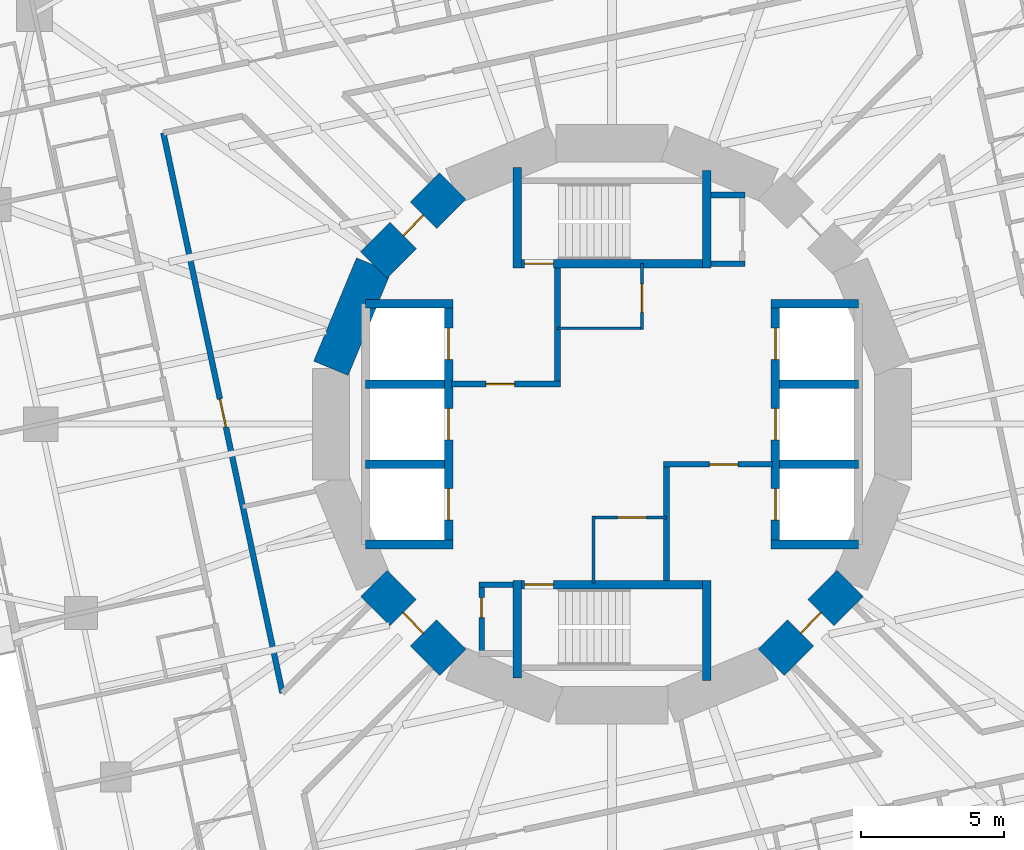
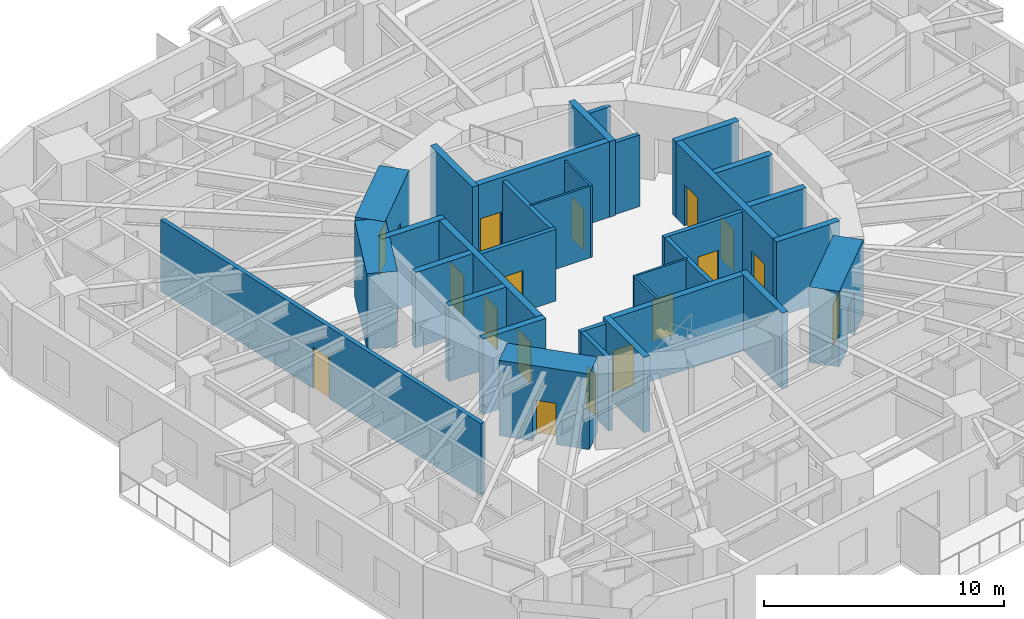
# One storey, part 7 of 14: 33 walls, 17 doors, 17 openings.
"""IFC4 building model written with IfcOpenShell, lengths in metres."""

from ifc_helpers import new_model, si_unit, direction, frame, frame_2d, origin, place, context, subcontext, project, spatial, rectangle, extrude, material, layer, layer_set, type_object, element, fill, save


model = new_model("IFC4")

# Units and contexts
model_context = context("Model", 3, precision=1e-05, world=origin(), true_north=direction((0.0, 1.0)))
body_context = subcontext(model_context, "Body", "Model", "MODEL_VIEW")
ifc_project = project(units=[si_unit("LENGTHUNIT", "METRE"), si_unit("AREAUNIT", "SQUARE_METRE"), si_unit("VOLUMEUNIT", "CUBIC_METRE"), si_unit("PLANEANGLEUNIT", "RADIAN"), si_unit("MASSUNIT", "GRAM", prefix="KILO")], contexts=[model_context])

# Site, building, storey
site_placement = place(None, origin())
site = spatial("IfcSite", under=ifc_project, at=site_placement, CompositionType="ELEMENT")
building_placement = place(site_placement, origin())
building = spatial("IfcBuilding", under=site, at=building_placement, Name="Nakasero Lantern House", CompositionType="ELEMENT")
storey_placement = place(building_placement, frame((0.0, 0.0, 124.25)))
storey = spatial("IfcBuildingStorey", under=building, at=storey_placement, Name="L30", CompositionType="ELEMENT", Elevation=124.25)

# Wall, openings, doors
ifc_material_1 = material(Name="Concrete C50/60", Category="concrete")
ifc_layer_1 = layer(ifc_material_1, 0.300048828125)
ifc_layer_set_1 = layer_set([ifc_layer_1], Name="Core inner wall 300")
wall_type_1 = type_object("IfcWallType", Name="Core inner wall 300", PredefinedType="SHEAR", material=ifc_layer_set_1)
wall_1_placement = place(storey_placement, frame((-5.699951171875, -4.199951171875, 0.0), z_axis=(0.0, 0.0, 1.0), x_axis=(0.0, 1.0, 0.0)))
wall_1 = element("IfcWall", 1, at=wall_1_placement, inside=storey, type_object=wall_type_1, Name="Core inner wall L30 LW", PredefinedType="SHEAR", context=body_context, shape_type="SweptSolid", body=[
    extrude(rectangle(XDim=8.39990234375, YDim=0.300048828125, at=frame_2d((4.199951171875, 0.0))), origin(), (0.0, 0.0, 1.0), 3.85009765625),
])
opening_1_placement = place(wall_1_placement, frame((0.85009765625, 0.0, 0.0)))
opening_1 = element("IfcOpeningElement", 2, at=opening_1_placement, cuts=wall_1, Name="Opening LD", PredefinedType="OPENING", context=body_context, shape_type="SweptSolid", body=[
    extrude(rectangle(XDim=1.10009765625, YDim=2.10009765625, at=frame_2d((0.550048828125, 1.050048828125))), frame((0.0, 0.169921875, 0.0), z_axis=(0.0, -1.0, 0.0), x_axis=(1.0, 0.0, 0.0)), (0.0, 0.0, 1.0), 0.340087890625),
])
opening_2_placement = place(wall_1_placement, frame((3.64990234375, 0.0, 0.0)))
opening_2 = element("IfcOpeningElement", 3, at=opening_2_placement, cuts=wall_1, Name="Opening LD", PredefinedType="OPENING", context=body_context, shape_type="SweptSolid", body=[
    extrude(rectangle(XDim=1.10009765625, YDim=2.10009765625, at=frame_2d((0.550048828125, 1.050048828125))), frame((0.0, 0.169921875, 0.0), z_axis=(0.0, -1.0, 0.0), x_axis=(1.0, 0.0, 0.0)), (0.0, 0.0, 1.0), 0.340087890625),
])
opening_3_placement = place(wall_1_placement, frame((6.449951171875, 0.0, 0.0)))
opening_3 = element("IfcOpeningElement", 4, at=opening_3_placement, cuts=wall_1, Name="Opening LD", PredefinedType="OPENING", context=body_context, shape_type="SweptSolid", body=[
    extrude(rectangle(XDim=1.10009765625, YDim=2.10009765625, at=frame_2d((0.550048828125, 1.050048828125))), frame((0.0, 0.169921875, 0.0), z_axis=(0.0, -1.0, 0.0), x_axis=(1.0, 0.0, 0.0)), (0.0, 0.0, 1.0), 0.340087890625),
])
ifc_material_2 = material(Name="Steel S355", Category="steel")
door_type_1 = type_object("IfcDoorType", Name="Lift landing door E120 1100", OperationType="SLIDING_TO_LEFT", PredefinedType="DOOR", material=ifc_material_2)
door_1_placement = place(opening_1_placement, origin())
door_1 = element("IfcDoor", 5, at=door_1_placement, inside=storey, type_object=door_type_1, Name="Lift landing door LW1", OperationType="SLIDING_TO_LEFT", OverallHeight=2.10009765625, OverallWidth=1.10009765625, PredefinedType="DOOR", context=body_context, shape_type="SweptSolid", body=[
    extrude(rectangle(XDim=1.10009765625, YDim=2.10009765625, at=frame_2d((0.550048828125, 1.050048828125))), frame((0.0, 0.02490234375, 0.0), z_axis=(0.0, -1.0, 0.0), x_axis=(1.0, 0.0, 0.0)), (0.0, 0.0, 1.0), 0.050048828125),
])
fill(opening_1, door_1)
door_2_placement = place(opening_2_placement, origin())
door_2 = element("IfcDoor", 6, at=door_2_placement, inside=storey, type_object=door_type_1, Name="Lift landing door LW2", OperationType="SLIDING_TO_LEFT", OverallHeight=2.10009765625, OverallWidth=1.10009765625, PredefinedType="DOOR", context=body_context, shape_type="SweptSolid", body=[
    extrude(rectangle(XDim=1.10009765625, YDim=2.10009765625, at=frame_2d((0.550048828125, 1.050048828125))), frame((0.0, 0.02490234375, 0.0), z_axis=(0.0, -1.0, 0.0), x_axis=(1.0, 0.0, 0.0)), (0.0, 0.0, 1.0), 0.050048828125),
])
fill(opening_2, door_2)
door_3_placement = place(opening_3_placement, origin())
door_3 = element("IfcDoor", 7, at=door_3_placement, inside=storey, type_object=door_type_1, Name="Lift landing door LW3", OperationType="SLIDING_TO_LEFT", OverallHeight=2.10009765625, OverallWidth=1.10009765625, PredefinedType="DOOR", context=body_context, shape_type="SweptSolid", body=[
    extrude(rectangle(XDim=1.10009765625, YDim=2.10009765625, at=frame_2d((0.550048828125, 1.050048828125))), frame((0.0, 0.02490234375, 0.0), z_axis=(0.0, -1.0, 0.0), x_axis=(1.0, 0.0, 0.0)), (0.0, 0.0, 1.0), 0.050048828125),
])
fill(opening_3, door_3)

wall_2_placement = place(storey_placement, frame((5.699951171875, -4.199951171875, 0.0), z_axis=(0.0, 0.0, 1.0), x_axis=(0.0, 1.0, 0.0)))
wall_2 = element("IfcWall", 8, at=wall_2_placement, inside=storey, type_object=wall_type_1, Name="Core inner wall L30 LE", PredefinedType="SHEAR", context=body_context, shape_type="SweptSolid", body=[
    extrude(rectangle(XDim=8.39990234375, YDim=0.300048828125, at=frame_2d((4.199951171875, 0.0))), origin(), (0.0, 0.0, 1.0), 3.85009765625),
])
opening_4_placement = place(wall_2_placement, frame((0.85009765625, 0.0, 0.0)))
opening_4 = element("IfcOpeningElement", 9, at=opening_4_placement, cuts=wall_2, Name="Opening LD", PredefinedType="OPENING", context=body_context, shape_type="SweptSolid", body=[
    extrude(rectangle(XDim=1.10009765625, YDim=2.10009765625, at=frame_2d((0.550048828125, 1.050048828125))), frame((0.0, 0.169921875, 0.0), z_axis=(0.0, -1.0, 0.0), x_axis=(1.0, 0.0, 0.0)), (0.0, 0.0, 1.0), 0.340087890625),
])
opening_5_placement = place(wall_2_placement, frame((3.64990234375, 0.0, 0.0)))
opening_5 = element("IfcOpeningElement", 10, at=opening_5_placement, cuts=wall_2, Name="Opening LD", PredefinedType="OPENING", context=body_context, shape_type="SweptSolid", body=[
    extrude(rectangle(XDim=1.10009765625, YDim=2.10009765625, at=frame_2d((0.550048828125, 1.050048828125))), frame((0.0, 0.169921875, 0.0), z_axis=(0.0, -1.0, 0.0), x_axis=(1.0, 0.0, 0.0)), (0.0, 0.0, 1.0), 0.340087890625),
])
opening_6_placement = place(wall_2_placement, frame((6.449951171875, 0.0, 0.0)))
opening_6 = element("IfcOpeningElement", 11, at=opening_6_placement, cuts=wall_2, Name="Opening LD", PredefinedType="OPENING", context=body_context, shape_type="SweptSolid", body=[
    extrude(rectangle(XDim=1.10009765625, YDim=2.10009765625, at=frame_2d((0.550048828125, 1.050048828125))), frame((0.0, 0.169921875, 0.0), z_axis=(0.0, -1.0, 0.0), x_axis=(1.0, 0.0, 0.0)), (0.0, 0.0, 1.0), 0.340087890625),
])
door_4_placement = place(opening_4_placement, origin())
door_4 = element("IfcDoor", 12, at=door_4_placement, inside=storey, type_object=door_type_1, Name="Lift landing door LE1", OperationType="SLIDING_TO_LEFT", OverallHeight=2.10009765625, OverallWidth=1.10009765625, PredefinedType="DOOR", context=body_context, shape_type="SweptSolid", body=[
    extrude(rectangle(XDim=1.10009765625, YDim=2.10009765625, at=frame_2d((0.550048828125, 1.050048828125))), frame((0.0, 0.02490234375, 0.0), z_axis=(0.0, -1.0, 0.0), x_axis=(1.0, 0.0, 0.0)), (0.0, 0.0, 1.0), 0.050048828125),
])
fill(opening_4, door_4)
door_5_placement = place(opening_5_placement, origin())
door_5 = element("IfcDoor", 13, at=door_5_placement, inside=storey, type_object=door_type_1, Name="Lift landing door LE2", OperationType="SLIDING_TO_LEFT", OverallHeight=2.10009765625, OverallWidth=1.10009765625, PredefinedType="DOOR", context=body_context, shape_type="SweptSolid", body=[
    extrude(rectangle(XDim=1.10009765625, YDim=2.10009765625, at=frame_2d((0.550048828125, 1.050048828125))), frame((0.0, 0.02490234375, 0.0), z_axis=(0.0, -1.0, 0.0), x_axis=(1.0, 0.0, 0.0)), (0.0, 0.0, 1.0), 0.050048828125),
])
fill(opening_5, door_5)
door_6_placement = place(opening_6_placement, origin())
door_6 = element("IfcDoor", 14, at=door_6_placement, inside=storey, type_object=door_type_1, Name="Lift landing door LE3", OperationType="SLIDING_TO_LEFT", OverallHeight=2.10009765625, OverallWidth=1.10009765625, PredefinedType="DOOR", context=body_context, shape_type="SweptSolid", body=[
    extrude(rectangle(XDim=1.10009765625, YDim=2.10009765625, at=frame_2d((0.550048828125, 1.050048828125))), frame((0.0, 0.02490234375, 0.0), z_axis=(0.0, -1.0, 0.0), x_axis=(1.0, 0.0, 0.0)), (0.0, 0.0, 1.0), 0.050048828125),
])
fill(opening_6, door_6)

# Walls
for number, where, z_axis, x_axis, name in (
    (15, (-8.60009765625, 4.199951171875, 0.0), (0.0, 0.0, 1.0), (1.0, 0.0, 0.0), "Core inner wall L30 LWN"),
    (16, (-8.60009765625, -4.199951171875, 0.0), (0.0, 0.0, 1.0), (1.0, 0.0, 0.0), "Core inner wall L30 LWS"),
    (17, (5.550048828125, 4.199951171875, 0.0), (0.0, 0.0, 1.0), (1.0, 0.0, 0.0), "Core inner wall L30 LEN"),
    (18, (5.550048828125, -4.199951171875, 0.0), (0.0, 0.0, 1.0), (1.0, 0.0, 0.0), "Core inner wall L30 LES"),
):
    element("IfcWall", number, at=place(storey_placement, frame(where, z_axis=z_axis, x_axis=x_axis)), inside=storey, type_object=wall_type_1, Name=name, PredefinedType="SHEAR", context=body_context, shape_type="SweptSolid", body=[
        extrude(rectangle(XDim=3.050048828125, YDim=0.300048828125, at=frame_2d((1.52490234375, 0.0))), origin(), (0.0, 0.0, 1.0), 3.85009765625),
    ])
for number, where, z_axis, x_axis, name in (
    (19, (-8.60009765625, -1.39990234375, 0.0), (0.0, 0.0, 1.0), (1.0, 0.0, 0.0), "Core inner wall L30 LW1"),
    (20, (-8.60009765625, 1.39990234375, 0.0), (0.0, 0.0, 1.0), (1.0, 0.0, 0.0), "Core inner wall L30 LW2"),
    (21, (5.85009765625, -1.39990234375, 0.0), (0.0, 0.0, 1.0), (1.0, 0.0, 0.0), "Core inner wall L30 LE1"),
    (22, (5.85009765625, 1.39990234375, 0.0), (0.0, 0.0, 1.0), (1.0, 0.0, 0.0), "Core inner wall L30 LE2"),
):
    element("IfcWall", number, at=place(storey_placement, frame(where, z_axis=z_axis, x_axis=x_axis)), inside=storey, type_object=wall_type_1, Name=name, PredefinedType="SHEAR", context=body_context, shape_type="SweptSolid", body=[
        extrude(rectangle(XDim=2.75, YDim=0.300048828125, at=frame_2d((1.375, 0.0))), origin(), (0.0, 0.0, 1.0), 3.85009765625),
    ])

# Wall, opening, door
wall_3_placement = place(storey_placement, frame((-3.449951171875, 5.60009765625, 0.0), z_axis=(0.0, 0.0, 1.0), x_axis=(1.0, 0.0, 0.0)))
wall_3 = element("IfcWall", 23, at=wall_3_placement, inside=storey, type_object=wall_type_1, Name="Core inner wall L30 SN", PredefinedType="SHEAR", context=body_context, shape_type="SweptSolid", body=[
    extrude(rectangle(XDim=6.89990234375, YDim=0.300048828125, at=frame_2d((3.449951171875, 0.0))), origin(), (0.0, 0.0, 1.0), 3.85009765625),
])
opening_7_placement = place(wall_3_placement, frame((0.39990234375, 0.0, 0.0)))
opening_7 = element("IfcOpeningElement", 24, at=opening_7_placement, cuts=wall_3, Name="Opening D05", PredefinedType="OPENING", context=body_context, shape_type="SweptSolid", body=[
    extrude(rectangle(XDim=1.0, YDim=2.10009765625, at=frame_2d((0.5, 1.050048828125))), frame((0.0, 0.169921875, 0.0), z_axis=(0.0, -1.0, 0.0), x_axis=(1.0, 0.0, 0.0)), (0.0, 0.0, 1.0), 0.340087890625),
])
ifc_material_3 = material(Name="Timber C24", Category="wood")
door_type_2 = type_object("IfcDoorType", Name="Core door FD60S 1000", OperationType="SINGLE_SWING_LEFT", PredefinedType="DOOR", material=ifc_material_3)
door_7_placement = place(opening_7_placement, origin())
door_7 = element("IfcDoor", 25, at=door_7_placement, inside=storey, type_object=door_type_2, Name="Door L30 D-ST1", OperationType="SINGLE_SWING_LEFT", OverallHeight=2.10009765625, OverallWidth=1.0, PredefinedType="DOOR", context=body_context, shape_type="SweptSolid", body=[
    extrude(rectangle(XDim=1.0, YDim=2.10009765625, at=frame_2d((0.5, 1.050048828125))), frame((0.0, 0.02490234375, 0.0), z_axis=(0.0, -1.0, 0.0), x_axis=(1.0, 0.0, 0.0)), (0.0, 0.0, 1.0), 0.050048828125),
])
fill(opening_7, door_7)

# Walls
wall_4_placement = place(storey_placement, frame((-3.300048828125, 5.449951171875, 0.0), z_axis=(0.0, 0.0, 1.0), x_axis=(0.0, 1.0, 0.0)))
element("IfcWall", 26, at=wall_4_placement, inside=storey, type_object=wall_type_1, Name="Core inner wall L30 SNW", PredefinedType="SHEAR", context=body_context, shape_type="SweptSolid", body=[
    extrude(rectangle(XDim=3.5, YDim=0.300048828125, at=frame_2d((1.75, 0.0))), origin(), (0.0, 0.0, 1.0), 3.85009765625),
])
wall_5_placement = place(storey_placement, frame((3.300048828125, 5.449951171875, 0.0), z_axis=(0.0, 0.0, 1.0), x_axis=(0.0, 1.0, 0.0)))
element("IfcWall", 27, at=wall_5_placement, inside=storey, type_object=wall_type_1, Name="Core inner wall L30 SNE", PredefinedType="SHEAR", context=body_context, shape_type="SweptSolid", body=[
    extrude(rectangle(XDim=3.400146484375, YDim=0.300048828125, at=frame_2d((1.7001953125, 0.0))), origin(), (0.0, 0.0, 1.0), 3.85009765625),
])

# Wall, opening, door
wall_6_placement = place(storey_placement, frame((-3.449951171875, -5.60009765625, 0.0), z_axis=(0.0, 0.0, 1.0), x_axis=(1.0, 0.0, 0.0)))
wall_6 = element("IfcWall", 28, at=wall_6_placement, inside=storey, type_object=wall_type_1, Name="Core inner wall L30 SS", PredefinedType="SHEAR", context=body_context, shape_type="SweptSolid", body=[
    extrude(rectangle(XDim=6.89990234375, YDim=0.300048828125, at=frame_2d((3.449951171875, 0.0))), origin(), (0.0, 0.0, 1.0), 3.85009765625),
])
opening_8_placement = place(wall_6_placement, frame((0.39990234375, 0.0, 0.0)))
opening_8 = element("IfcOpeningElement", 29, at=opening_8_placement, cuts=wall_6, Name="Opening D05", PredefinedType="OPENING", context=body_context, shape_type="SweptSolid", body=[
    extrude(rectangle(XDim=1.0, YDim=2.10009765625, at=frame_2d((0.5, 1.050048828125))), frame((0.0, 0.169921875, 0.0), z_axis=(0.0, -1.0, 0.0), x_axis=(1.0, 0.0, 0.0)), (0.0, 0.0, 1.0), 0.340087890625),
])
door_8_placement = place(opening_8_placement, origin())
door_8 = element("IfcDoor", 30, at=door_8_placement, inside=storey, type_object=door_type_2, Name="Door L30 D-ST2", OperationType="SINGLE_SWING_LEFT", OverallHeight=2.10009765625, OverallWidth=1.0, PredefinedType="DOOR", context=body_context, shape_type="SweptSolid", body=[
    extrude(rectangle(XDim=1.0, YDim=2.10009765625, at=frame_2d((0.5, 1.050048828125))), frame((0.0, 0.02490234375, 0.0), z_axis=(0.0, -1.0, 0.0), x_axis=(1.0, 0.0, 0.0)), (0.0, 0.0, 1.0), 0.050048828125),
])
fill(opening_8, door_8)

# Walls
wall_7_placement = place(storey_placement, frame((-3.300048828125, -5.449951171875, 0.0), z_axis=(0.0, 0.0, 1.0), x_axis=(0.0, -1.0, 0.0)))
element("IfcWall", 31, at=wall_7_placement, inside=storey, type_object=wall_type_1, Name="Core inner wall L30 SSW", PredefinedType="SHEAR", context=body_context, shape_type="SweptSolid", body=[
    extrude(rectangle(XDim=3.400146484375, YDim=0.300048828125, at=frame_2d((1.7001953125, 0.0))), origin(), (0.0, 0.0, 1.0), 3.85009765625),
])
wall_8_placement = place(storey_placement, frame((3.300048828125, -5.449951171875, 0.0), z_axis=(0.0, 0.0, 1.0), x_axis=(0.0, -1.0, 0.0)))
element("IfcWall", 32, at=wall_8_placement, inside=storey, type_object=wall_type_1, Name="Core inner wall L30 SSE", PredefinedType="SHEAR", context=body_context, shape_type="SweptSolid", body=[
    extrude(rectangle(XDim=3.5, YDim=0.300048828125, at=frame_2d((1.75, 0.0))), origin(), (0.0, 0.0, 1.0), 3.85009765625),
])
ifc_material_4 = material(Name="Blockwork", Category="masonry")
ifc_layer_2 = layer(ifc_material_4, 0.10009765625)
ifc_layer_set_2 = layer_set([ifc_layer_2], Name="Core room wall 100")
wall_type_2 = type_object("IfcWallType", Name="Core room wall 100", PredefinedType="PARTITIONING", material=ifc_layer_set_2)
wall_9_placement = place(storey_placement, frame((-1.89990234375, 3.35009765625, 0.0), z_axis=(0.0, 0.0, 1.0), x_axis=(1.0, 0.0, 0.0)))
element("IfcWall", 33, at=wall_9_placement, inside=storey, type_object=wall_type_2, Name="Core room wall L30 CR-NES", PredefinedType="PARTITIONING", context=body_context, shape_type="SweptSolid", body=[
    extrude(rectangle(XDim=3.0, YDim=0.10009765625, at=frame_2d((1.5, 0.0))), origin(), (0.0, 0.0, 1.0), 3.64990234375),
])

# Wall, opening, door
wall_10_placement = place(storey_placement, frame((1.050048828125, 3.300048828125, 0.0), z_axis=(0.0, 0.0, 1.0), x_axis=(0.0, 1.0, 0.0)))
wall_10 = element("IfcWall", 34, at=wall_10_placement, inside=storey, type_object=wall_type_2, Name="Core room wall L30 CR-NEE", PredefinedType="PARTITIONING", context=body_context, shape_type="SweptSolid", body=[
    extrude(rectangle(XDim=2.300048828125, YDim=0.10009765625, at=frame_2d((1.14990234375, 0.0))), origin(), (0.0, 0.0, 1.0), 3.64990234375),
])
opening_9_placement = place(wall_10_placement, frame((0.60009765625, 0.0, 0.0)))
opening_9 = element("IfcOpeningElement", 35, at=opening_9_placement, cuts=wall_10, Name="Opening D13", PredefinedType="OPENING", context=body_context, shape_type="SweptSolid", body=[
    extrude(rectangle(XDim=1.0, YDim=2.10009765625, at=frame_2d((0.5, 1.050048828125))), frame((0.0, 0.070068359375, 0.0), z_axis=(0.0, -1.0, 0.0), x_axis=(1.0, 0.0, 0.0)), (0.0, 0.0, 1.0), 0.14013671875),
])
ifc_material_5 = material(Name="Steel S355", Category="steel")
door_type_3 = type_object("IfcDoorType", Name="Plant room door FD60 1000", OperationType="SINGLE_SWING_LEFT", PredefinedType="DOOR", material=ifc_material_5)
door_9_placement = place(opening_9_placement, origin())
door_9 = element("IfcDoor", 36, at=door_9_placement, inside=storey, type_object=door_type_3, Name="Door L30 D-CR-NE", OperationType="SINGLE_SWING_LEFT", OverallHeight=2.10009765625, OverallWidth=1.0, PredefinedType="DOOR", context=body_context, shape_type="SweptSolid", body=[
    extrude(rectangle(XDim=1.0, YDim=2.10009765625, at=frame_2d((0.5, 1.050048828125))), frame((0.0, 0.02490234375, 0.0), z_axis=(0.0, -1.0, 0.0), x_axis=(1.0, 0.0, 0.0)), (0.0, 0.0, 1.0), 0.050048828125),
])
fill(opening_9, door_9)

wall_11_placement = place(storey_placement, frame((-0.699951171875, -3.25, 0.0), z_axis=(0.0, 0.0, 1.0), x_axis=(1.0, 0.0, 0.0)))
wall_11 = element("IfcWall", 37, at=wall_11_placement, inside=storey, type_object=wall_type_2, Name="Core room wall L30 CR-SWN", PredefinedType="PARTITIONING", context=body_context, shape_type="SweptSolid", body=[
    extrude(rectangle(XDim=2.599853515625, YDim=0.10009765625, at=frame_2d((1.2998046875, 0.0))), origin(), (0.0, 0.0, 1.0), 3.64990234375),
])
opening_10_placement = place(wall_11_placement, frame((0.89990234375, 0.0, 0.0)))
opening_10 = element("IfcOpeningElement", 38, at=opening_10_placement, cuts=wall_11, Name="Opening D07", PredefinedType="OPENING", context=body_context, shape_type="SweptSolid", body=[
    extrude(rectangle(XDim=1.0, YDim=2.10009765625, at=frame_2d((0.5, 1.050048828125))), frame((0.0, 0.070068359375, 0.0), z_axis=(0.0, -1.0, 0.0), x_axis=(1.0, 0.0, 0.0)), (0.0, 0.0, 1.0), 0.14013671875),
])
ifc_material_6 = material(Name="Timber C24", Category="wood")
door_type_4 = type_object("IfcDoorType", Name="Room door FD30S 1000", OperationType="SINGLE_SWING_LEFT", PredefinedType="DOOR", material=ifc_material_6)
door_10_placement = place(opening_10_placement, origin())
door_10 = element("IfcDoor", 39, at=door_10_placement, inside=storey, type_object=door_type_4, Name="Door L30 D-CR-SW", OperationType="SINGLE_SWING_RIGHT", OverallHeight=2.10009765625, OverallWidth=1.0, PredefinedType="DOOR", context=body_context, shape_type="SweptSolid", body=[
    extrude(rectangle(XDim=1.0, YDim=2.10009765625, at=frame_2d((0.5, 1.050048828125))), frame((0.0, 0.02490234375, 0.0), z_axis=(0.0, -1.0, 0.0), x_axis=(1.0, 0.0, 0.0)), (0.0, 0.0, 1.0), 0.050048828125),
])
fill(opening_10, door_10)

# Wall
wall_12_placement = place(storey_placement, frame((-0.64990234375, -5.550048828125, 0.0), z_axis=(0.0, 0.0, 1.0), x_axis=(0.0, 1.0, 0.0)))
element("IfcWall", 40, at=wall_12_placement, inside=storey, type_object=wall_type_2, Name="Core room wall L30 CR-SWW", PredefinedType="PARTITIONING", context=body_context, shape_type="SweptSolid", body=[
    extrude(rectangle(XDim=2.35009765625, YDim=0.10009765625, at=frame_2d((1.175048828125, 0.0))), origin(), (0.0, 0.0, 1.0), 3.64990234375),
])

# Wall, opening, door
ifc_material_7 = material(Name="Concrete C50/60", Category="concrete")
ifc_layer_3 = layer(ifc_material_7, 1.300048828125)
ifc_layer_set_3 = layer_set([ifc_layer_3], Name="Core wall 1300")
wall_type_3 = type_object("IfcWallType", Name="Core wall 1300", PredefinedType="SHEAR", material=ifc_layer_set_3)
wall_13_placement = place(storey_placement, frame((-5.5556640625, 8.314697265625, 0.0), z_axis=(0.0, 0.0, 1.0), x_axis=(-0.707106781187, -0.707106781187, 0.0)))
wall_13 = element("IfcWall", 41, at=wall_13_placement, inside=storey, type_object=wall_type_3, Name="Core wall L30 facet 6", PredefinedType="SHEAR", context=body_context, shape_type="SweptSolid", body=[
    extrude(rectangle(XDim=3.90185546875, YDim=1.300048828125, at=frame_2d((1.950927734375, 0.0))), origin(), (0.0, 0.0, 1.0), 3.85009765625),
])
opening_11_placement = place(wall_13_placement, frame((1.450927734375, 0.0, 0.0)))
opening_11 = element("IfcOpeningElement", 42, at=opening_11_placement, cuts=wall_13, Name="Opening D05", PredefinedType="OPENING", context=body_context, shape_type="SweptSolid", body=[
    extrude(rectangle(XDim=1.0, YDim=2.10009765625, at=frame_2d((0.5, 1.050048828125))), frame((0.0, 0.669921875, 0.0), z_axis=(0.0, -1.0, 0.0), x_axis=(1.0, 0.0, 0.0)), (0.0, 0.0, 1.0), 1.340087890625),
])
door_11_placement = place(opening_11_placement, origin())
door_11 = element("IfcDoor", 43, at=door_11_placement, inside=storey, type_object=door_type_2, Name="Door L30 D-CORE06", OperationType="SINGLE_SWING_LEFT", OverallHeight=2.10009765625, OverallWidth=1.0, PredefinedType="DOOR", context=body_context, shape_type="SweptSolid", body=[
    extrude(rectangle(XDim=1.0, YDim=2.10009765625, at=frame_2d((0.5, 1.050048828125))), frame((0.0, 0.02490234375, 0.0), z_axis=(0.0, -1.0, 0.0), x_axis=(1.0, 0.0, 0.0)), (0.0, 0.0, 1.0), 0.050048828125),
])
fill(opening_11, door_11)

# Wall
wall_14_placement = place(storey_placement, frame((-8.314697265625, 5.5556640625, 0.0), z_axis=(0.0, 0.0, 1.0), x_axis=(-0.382690736062, -0.923876507187, 0.0)))
element("IfcWall", 44, at=wall_14_placement, inside=storey, type_object=wall_type_3, Name="Core wall L30 facet 7", PredefinedType="SHEAR", context=body_context, shape_type="SweptSolid", body=[
    extrude(rectangle(XDim=3.90185546875, YDim=1.300048828125, at=frame_2d((1.950927734375, 0.0))), origin(), (0.0, 0.0, 1.0), 3.85009765625),
])

# Wall, opening, door
wall_15_placement = place(storey_placement, frame((-8.314697265625, -5.5556640625, 0.0), z_axis=(0.0, 0.0, 1.0), x_axis=(0.707106781187, -0.707106781187, 0.0)))
wall_15 = element("IfcWall", 45, at=wall_15_placement, inside=storey, type_object=wall_type_3, Name="Core wall L30 facet 10", PredefinedType="SHEAR", context=body_context, shape_type="SweptSolid", body=[
    extrude(rectangle(XDim=3.90185546875, YDim=1.300048828125, at=frame_2d((1.950927734375, 0.0))), origin(), (0.0, 0.0, 1.0), 3.85009765625),
])
opening_12_placement = place(wall_15_placement, frame((1.450927734375, 0.0, 0.0)))
opening_12 = element("IfcOpeningElement", 46, at=opening_12_placement, cuts=wall_15, Name="Opening D05", PredefinedType="OPENING", context=body_context, shape_type="SweptSolid", body=[
    extrude(rectangle(XDim=1.0, YDim=2.10009765625, at=frame_2d((0.5, 1.050048828125))), frame((0.0, 0.669921875, 0.0), z_axis=(0.0, -1.0, 0.0), x_axis=(1.0, 0.0, 0.0)), (0.0, 0.0, 1.0), 1.340087890625),
])
door_12_placement = place(opening_12_placement, origin())
door_12 = element("IfcDoor", 47, at=door_12_placement, inside=storey, type_object=door_type_2, Name="Door L30 D-CORE10", OperationType="SINGLE_SWING_LEFT", OverallHeight=2.10009765625, OverallWidth=1.0, PredefinedType="DOOR", context=body_context, shape_type="SweptSolid", body=[
    extrude(rectangle(XDim=1.0, YDim=2.10009765625, at=frame_2d((0.5, 1.050048828125))), frame((0.0, 0.02490234375, 0.0), z_axis=(0.0, -1.0, 0.0), x_axis=(1.0, 0.0, 0.0)), (0.0, 0.0, 1.0), 0.050048828125),
])
fill(opening_12, door_12)

wall_16_placement = place(storey_placement, frame((5.5556640625, -8.314697265625, 0.0), z_axis=(0.0, 0.0, 1.0), x_axis=(0.707106781187, 0.707106781187, 0.0)))
wall_16 = element("IfcWall", 48, at=wall_16_placement, inside=storey, type_object=wall_type_3, Name="Core wall L30 facet 14", PredefinedType="SHEAR", context=body_context, shape_type="SweptSolid", body=[
    extrude(rectangle(XDim=3.90185546875, YDim=1.300048828125, at=frame_2d((1.950927734375, 0.0))), origin(), (0.0, 0.0, 1.0), 3.85009765625),
])
opening_13_placement = place(wall_16_placement, frame((1.450927734375, 0.0, 0.0)))
opening_13 = element("IfcOpeningElement", 49, at=opening_13_placement, cuts=wall_16, Name="Opening D05", PredefinedType="OPENING", context=body_context, shape_type="SweptSolid", body=[
    extrude(rectangle(XDim=1.0, YDim=2.10009765625, at=frame_2d((0.5, 1.050048828125))), frame((0.0, 0.669921875, 0.0), z_axis=(0.0, -1.0, 0.0), x_axis=(1.0, 0.0, 0.0)), (0.0, 0.0, 1.0), 1.340087890625),
])
door_13_placement = place(opening_13_placement, origin())
door_13 = element("IfcDoor", 50, at=door_13_placement, inside=storey, type_object=door_type_2, Name="Door L30 D-CORE14", OperationType="SINGLE_SWING_LEFT", OverallHeight=2.10009765625, OverallWidth=1.0, PredefinedType="DOOR", context=body_context, shape_type="SweptSolid", body=[
    extrude(rectangle(XDim=1.0, YDim=2.10009765625, at=frame_2d((0.5, 1.050048828125))), frame((0.0, 0.02490234375, 0.0), z_axis=(0.0, -1.0, 0.0), x_axis=(1.0, 0.0, 0.0)), (0.0, 0.0, 1.0), 0.050048828125),
])
fill(opening_13, door_13)

ifc_material_8 = material(Name="Blockwork", Category="masonry")
ifc_layer_4 = layer(ifc_material_8, 0.199951171875)
ifc_layer_set_4 = layer_set([ifc_layer_4], Name="Corridor wall 200")
wall_type_4 = type_object("IfcWallType", Name="Corridor wall 200", PredefinedType="PARTITIONING", material=ifc_layer_set_4)
wall_17_placement = place(storey_placement, frame((-15.656005859375, 10.1669921875, 0.0), z_axis=(0.0, 0.0, 1.0), x_axis=(0.20791018816, -0.978147920132, 0.0)))
wall_17 = element("IfcWall", 51, at=wall_17_placement, inside=storey, type_object=wall_type_4, Name="Corridor wall L30 IW2-0", PredefinedType="PARTITIONING", context=body_context, shape_type="SweptSolid", body=[
    extrude(rectangle(XDim=19.983642578125, YDim=0.199951171875, at=frame_2d((9.99169921875, 0.0))), origin(), (0.0, 0.0, 1.0), 3.64990234375),
])
opening_14_placement = place(wall_17_placement, frame((9.49169921875, 0.0, 0.0)))
opening_14 = element("IfcOpeningElement", 52, at=opening_14_placement, cuts=wall_17, Name="Opening D07", PredefinedType="OPENING", context=body_context, shape_type="SweptSolid", body=[
    extrude(rectangle(XDim=1.0, YDim=2.10009765625, at=frame_2d((0.5, 1.050048828125))), frame((0.0, 0.119873046875, 0.0), z_axis=(0.0, -1.0, 0.0), x_axis=(1.0, 0.0, 0.0)), (0.0, 0.0, 1.0), 0.239990234375),
])
door_14_placement = place(opening_14_placement, origin())
door_14 = element("IfcDoor", 53, at=door_14_placement, inside=storey, type_object=door_type_4, Name="Door L30 DI7", OperationType="SINGLE_SWING_LEFT", OverallHeight=2.10009765625, OverallWidth=1.0, PredefinedType="DOOR", context=body_context, shape_type="SweptSolid", body=[
    extrude(rectangle(XDim=1.0, YDim=2.10009765625, at=frame_2d((0.5, 1.050048828125))), frame((0.0, 0.02490234375, 0.0), z_axis=(0.0, -1.0, 0.0), x_axis=(1.0, 0.0, 0.0)), (0.0, 0.0, 1.0), 0.050048828125),
])
fill(opening_14, door_14)

ifc_material_9 = material(Name="Blockwork", Category="masonry")
ifc_layer_5 = layer(ifc_material_9, 0.199951171875)
ifc_layer_set_5 = layer_set([ifc_layer_5], Name="Fire lobby wall 200")
wall_type_5 = type_object("IfcWallType", Name="Fire lobby wall 200", PredefinedType="PARTITIONING", material=ifc_layer_set_5)
wall_18_placement = place(storey_placement, frame((-5.60009765625, 1.39990234375, 0.0), z_axis=(0.0, 0.0, 1.0), x_axis=(1.0, 0.0, 0.0)))
wall_18 = element("IfcWall", 54, at=wall_18_placement, inside=storey, type_object=wall_type_5, Name="Fire lobby wall L30 W-FL1S", PredefinedType="PARTITIONING", context=body_context, shape_type="SweptSolid", body=[
    extrude(rectangle(XDim=3.800048828125, YDim=0.199951171875, at=frame_2d((1.89990234375, 0.0))), origin(), (0.0, 0.0, 1.0), 3.64990234375),
])
opening_15_placement = place(wall_18_placement, frame((1.199951171875, 0.0, 0.0)))
opening_15 = element("IfcOpeningElement", 55, at=opening_15_placement, cuts=wall_18, Name="Opening D05", PredefinedType="OPENING", context=body_context, shape_type="SweptSolid", body=[
    extrude(rectangle(XDim=1.0, YDim=2.10009765625, at=frame_2d((0.5, 1.050048828125))), frame((0.0, 0.119873046875, 0.0), z_axis=(0.0, -1.0, 0.0), x_axis=(1.0, 0.0, 0.0)), (0.0, 0.0, 1.0), 0.239990234375),
])
door_15_placement = place(opening_15_placement, origin())
door_15 = element("IfcDoor", 56, at=door_15_placement, inside=storey, type_object=door_type_2, Name="Door L30 D-FL1", OperationType="SINGLE_SWING_LEFT", OverallHeight=2.10009765625, OverallWidth=1.0, PredefinedType="DOOR", context=body_context, shape_type="SweptSolid", body=[
    extrude(rectangle(XDim=1.0, YDim=2.10009765625, at=frame_2d((0.5, 1.050048828125))), frame((0.0, 0.02490234375, 0.0), z_axis=(0.0, -1.0, 0.0), x_axis=(1.0, 0.0, 0.0)), (0.0, 0.0, 1.0), 0.050048828125),
])
fill(opening_15, door_15)

# Wall
wall_19_placement = place(storey_placement, frame((-1.89990234375, 1.5, 0.0), z_axis=(0.0, 0.0, 1.0), x_axis=(0.0, 1.0, 0.0)))
element("IfcWall", 57, at=wall_19_placement, inside=storey, type_object=wall_type_5, Name="Fire lobby wall L30 W-FL1E", PredefinedType="PARTITIONING", context=body_context, shape_type="SweptSolid", body=[
    extrude(rectangle(XDim=3.949951171875, YDim=0.199951171875, at=frame_2d((1.97509765625, 0.0))), origin(), (0.0, 0.0, 1.0), 3.64990234375),
])

# Wall, opening, door
wall_20_placement = place(storey_placement, frame((5.60009765625, -1.39990234375, 0.0), z_axis=(0.0, 0.0, 1.0), x_axis=(-1.0, 0.0, 0.0)))
wall_20 = element("IfcWall", 58, at=wall_20_placement, inside=storey, type_object=wall_type_5, Name="Fire lobby wall L30 W-FL2N", PredefinedType="PARTITIONING", context=body_context, shape_type="SweptSolid", body=[
    extrude(rectangle(XDim=3.800048828125, YDim=0.199951171875, at=frame_2d((1.89990234375, 0.0))), origin(), (0.0, 0.0, 1.0), 3.64990234375),
])
opening_16_placement = place(wall_20_placement, frame((1.199951171875, 0.0, 0.0)))
opening_16 = element("IfcOpeningElement", 59, at=opening_16_placement, cuts=wall_20, Name="Opening D05", PredefinedType="OPENING", context=body_context, shape_type="SweptSolid", body=[
    extrude(rectangle(XDim=1.0, YDim=2.10009765625, at=frame_2d((0.5, 1.050048828125))), frame((0.0, 0.119873046875, 0.0), z_axis=(0.0, -1.0, 0.0), x_axis=(1.0, 0.0, 0.0)), (0.0, 0.0, 1.0), 0.239990234375),
])
door_16_placement = place(opening_16_placement, origin())
door_16 = element("IfcDoor", 60, at=door_16_placement, inside=storey, type_object=door_type_2, Name="Door L30 D-FL2", OperationType="SINGLE_SWING_LEFT", OverallHeight=2.10009765625, OverallWidth=1.0, PredefinedType="DOOR", context=body_context, shape_type="SweptSolid", body=[
    extrude(rectangle(XDim=1.0, YDim=2.10009765625, at=frame_2d((0.5, 1.050048828125))), frame((0.0, 0.02490234375, 0.0), z_axis=(0.0, -1.0, 0.0), x_axis=(1.0, 0.0, 0.0)), (0.0, 0.0, 1.0), 0.050048828125),
])
fill(opening_16, door_16)

# Walls
wall_21_placement = place(storey_placement, frame((1.89990234375, -1.5, 0.0), z_axis=(0.0, 0.0, 1.0), x_axis=(0.0, -1.0, 0.0)))
element("IfcWall", 61, at=wall_21_placement, inside=storey, type_object=wall_type_5, Name="Fire lobby wall L30 W-FL2W", PredefinedType="PARTITIONING", context=body_context, shape_type="SweptSolid", body=[
    extrude(rectangle(XDim=3.949951171875, YDim=0.199951171875, at=frame_2d((1.97509765625, 0.0))), origin(), (0.0, 0.0, 1.0), 3.64990234375),
])
for number, where, z_axis, x_axis, name in (
    (62, (3.449951171875, 8.0, 0.0), (0.0, 0.0, 1.0), (1.0, 0.0, 0.0), "Fire lobby wall L30 W-RS1N"),
    (63, (3.449951171875, 5.60009765625, 0.0), (0.0, 0.0, 1.0), (1.0, 0.0, 0.0), "Fire lobby wall L30 W-RS1S"),
):
    element("IfcWall", number, at=place(storey_placement, frame(where, z_axis=z_axis, x_axis=x_axis)), inside=storey, type_object=wall_type_5, Name=name, PredefinedType="PARTITIONING", context=body_context, shape_type="SweptSolid", body=[
        extrude(rectangle(XDim=1.199951171875, YDim=0.199951171875, at=frame_2d((0.60009765625, 0.0))), origin(), (0.0, 0.0, 1.0), 3.64990234375),
    ])

# Wall, opening, door
wall_22_placement = place(storey_placement, frame((-4.550048828125, -5.60009765625, 0.0), z_axis=(0.0, 0.0, 1.0), x_axis=(0.0, -1.0, 0.0)))
wall_22 = element("IfcWall", 64, at=wall_22_placement, inside=storey, type_object=wall_type_5, Name="Fire lobby wall L30 W-RS2W", PredefinedType="PARTITIONING", context=body_context, shape_type="SweptSolid", body=[
    extrude(rectangle(XDim=2.39990234375, YDim=0.199951171875, at=frame_2d((1.199951171875, 0.0))), origin(), (0.0, 0.0, 1.0), 3.64990234375),
])
opening_17_placement = place(wall_22_placement, frame((0.449951171875, 0.0, 0.0)))
opening_17 = element("IfcOpeningElement", 65, at=opening_17_placement, cuts=wall_22, Name="Opening D06", PredefinedType="OPENING", context=body_context, shape_type="SweptSolid", body=[
    extrude(rectangle(XDim=0.699951171875, YDim=2.10009765625, at=frame_2d((0.35009765625, 1.050048828125))), frame((0.0, 0.119873046875, 0.0), z_axis=(0.0, -1.0, 0.0), x_axis=(1.0, 0.0, 0.0)), (0.0, 0.0, 1.0), 0.239990234375),
])
ifc_material_10 = material(Name="Steel S355", Category="steel")
door_type_5 = type_object("IfcDoorType", Name="Riser door FD60 700", OperationType="SINGLE_SWING_LEFT", PredefinedType="DOOR", material=ifc_material_10)
door_17_placement = place(opening_17_placement, origin())
door_17 = element("IfcDoor", 66, at=door_17_placement, inside=storey, type_object=door_type_5, Name="Door L30 D-RS2", OperationType="SINGLE_SWING_LEFT", OverallHeight=2.10009765625, OverallWidth=0.699951171875, PredefinedType="DOOR", context=body_context, shape_type="SweptSolid", body=[
    extrude(rectangle(XDim=0.699951171875, YDim=2.10009765625, at=frame_2d((0.35009765625, 1.050048828125))), frame((0.0, 0.02490234375, 0.0), z_axis=(0.0, -1.0, 0.0), x_axis=(1.0, 0.0, 0.0)), (0.0, 0.0, 1.0), 0.050048828125),
])
fill(opening_17, door_17)

# Wall
wall_23_placement = place(storey_placement, frame((-3.449951171875, -5.60009765625, 0.0), z_axis=(0.0, 0.0, 1.0), x_axis=(-1.0, 0.0, 0.0)))
element("IfcWall", 67, at=wall_23_placement, inside=storey, type_object=wall_type_5, Name="Fire lobby wall L30 W-RS2N", PredefinedType="PARTITIONING", context=body_context, shape_type="SweptSolid", body=[
    extrude(rectangle(XDim=1.199951171875, YDim=0.199951171875, at=frame_2d((0.60009765625, 0.0))), origin(), (0.0, 0.0, 1.0), 3.64990234375),
])

save(model, "model.ifc")
